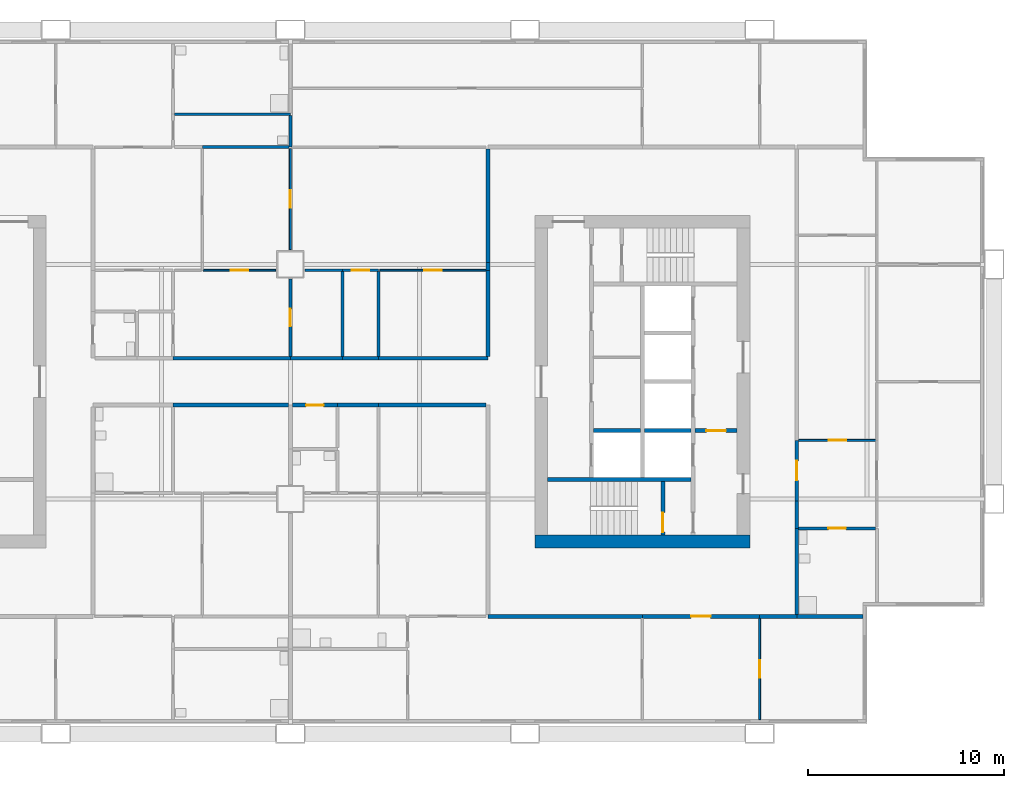
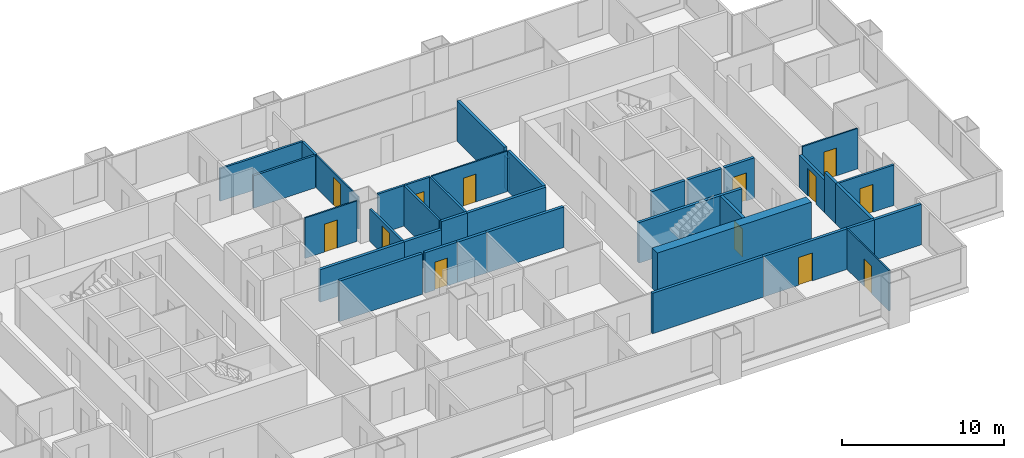
# One storey, part 6 of 11: 38 walls, 13 doors, 13 openings.
"""IFC4 building model written with IfcOpenShell, lengths in metres."""

from ifc_helpers import new_model, si_unit, direction, frame, frame_2d, origin, place, context, subcontext, project, spatial, rectangle, extrude, material, layer, layer_set, type_object, element, fill, save


model = new_model("IFC4")

# Units and contexts
model_context = context("Model", 3, precision=1e-05, world=origin(), true_north=direction((0.0, 1.0)))
body_context = subcontext(model_context, "Body", "Model", "MODEL_VIEW")
ifc_project = project(units=[si_unit("LENGTHUNIT", "METRE"), si_unit("AREAUNIT", "SQUARE_METRE"), si_unit("VOLUMEUNIT", "CUBIC_METRE"), si_unit("PLANEANGLEUNIT", "RADIAN"), si_unit("MASSUNIT", "GRAM", prefix="KILO")], contexts=[model_context])

# Site, building, storey
site_placement = place(None, origin())
site = spatial("IfcSite", under=ifc_project, at=site_placement, CompositionType="ELEMENT")
building_placement = place(site_placement, origin())
building = spatial("IfcBuilding", under=site, at=building_placement, Name="Kitamizu Gate Tower and Museum", CompositionType="ELEMENT")
storey_placement = place(building_placement, frame((0.0, 0.0, 100.050048828125)))
storey = spatial("IfcBuildingStorey", under=building, at=storey_placement, Name="L25", CompositionType="ELEMENT", Elevation=100.050048828125)

# Wall
ifc_material_1 = material(Name="Concrete Fc60", Category="concrete")
ifc_layer_1 = layer(ifc_material_1, 0.64990234375)
ifc_layer_set_1 = layer_set([ifc_layer_1], Name="Concrete Fc60")
wall_type_1 = type_object("IfcWallType", Name="Core wall 650", PredefinedType="SHEAR", material=ifc_layer_set_1)
wall_1_placement = place(storey_placement, frame((59.5, 21.824951171875, 0.0), z_axis=(0.0, 0.0, 1.0), x_axis=(-1.0, 0.0, 0.0)))
element("IfcWall", 1, at=wall_1_placement, inside=storey, type_object=wall_type_1, Name="Core wall ES", PredefinedType="SHEAR", context=body_context, shape_type="SweptSolid", body=[
    extrude(rectangle(XDim=11.0, YDim=0.64990234375, at=frame_2d((5.5, 0.0))), origin(), (0.0, 0.0, 1.0), 3.050048828125),
])

# Wall, opening, door
ifc_material_2 = material(Name="Gypsum board on galvanised stud")
ifc_layer_2 = layer(ifc_material_2, 0.10009765625)
ifc_layer_set_2 = layer_set([ifc_layer_2], Name="Gypsum board on galvanised stud")
wall_type_2 = type_object("IfcWallType", Name="Partition 100 NOT RATED", PredefinedType="PARTITIONING", material=ifc_layer_set_2)
wall_2_placement = place(storey_placement, frame((60.0, 12.719970703125, 0.0), z_axis=(0.0, 0.0, 1.0), x_axis=(0.0, 1.0, 0.0)))
wall_2 = element("IfcWall", 2, at=wall_2_placement, inside=storey, type_object=wall_type_2, Name="Partition L25-057", PredefinedType="PARTITIONING", context=body_context, shape_type="SweptSolid", body=[
    extrude(rectangle(XDim=5.179931640625, YDim=0.10009765625, at=frame_2d((2.58984375, 0.0))), origin(), (0.0, 0.0, 1.0), 3.050048828125),
])
opening_1_placement = place(wall_2_placement, frame((2.139892578125, 0.0, 0.0)))
opening_1 = element("IfcOpeningElement", 3, at=opening_1_placement, cuts=wall_2, Name="Opening L25-020", PredefinedType="OPENING", context=body_context, shape_type="SweptSolid", body=[
    extrude(rectangle(XDim=0.89990234375, YDim=2.10009765625, at=frame_2d((0.449951171875, 1.050048828125))), frame((0.0, 0.06005859375, 0.0), z_axis=(0.0, -1.0, 0.0), x_axis=(1.0, 0.0, 0.0)), (0.0, 0.0, 1.0), 0.1201171875),
])
ifc_material_3 = material(Name="Timber door set", Category="wood")
door_type_1 = type_object("IfcDoorType", Name="Room door 900", OperationType="NOTDEFINED", PredefinedType="DOOR", material=ifc_material_3)
door_1_placement = place(opening_1_placement, frame((0.89990234375, 0.0, 0.0), x_axis=(-1.0, 0.0, 0.0)))
door_1 = element("IfcDoor", 4, at=door_1_placement, inside=storey, type_object=door_type_1, Name="Door L25-020", OperationType="SINGLE_SWING_RIGHT", OverallHeight=2.10009765625, OverallWidth=0.89990234375, PredefinedType="DOOR", context=body_context, shape_type="SweptSolid", body=[
    extrude(rectangle(XDim=0.89990234375, YDim=2.10009765625, at=frame_2d((0.449951171875, 1.050048828125))), frame((0.0, 0.02490234375, 0.0), z_axis=(0.0, -1.0, 0.0), x_axis=(1.0, 0.0, 0.0)), (0.0, 0.0, 1.0), 0.050048828125),
])
fill(opening_1, door_1)

wall_3_placement = place(storey_placement, frame((65.949951171875, 27.0, 0.0), z_axis=(0.0, 0.0, 1.0), x_axis=(-1.0, 0.0, 0.0)))
wall_3 = element("IfcWall", 5, at=wall_3_placement, inside=storey, type_object=wall_type_2, Name="Partition L25-085", PredefinedType="PARTITIONING", context=body_context, shape_type="SweptSolid", body=[
    extrude(rectangle(XDim=3.949951171875, YDim=0.10009765625, at=frame_2d((1.97509765625, 0.0))), origin(), (0.0, 0.0, 1.0), 3.050048828125),
])
opening_2_placement = place(wall_3_placement, frame((1.52490234375, 0.0, 0.0)))
opening_2 = element("IfcOpeningElement", 6, at=opening_2_placement, cuts=wall_3, Name="Opening L25-031", PredefinedType="OPENING", context=body_context, shape_type="SweptSolid", body=[
    extrude(rectangle(XDim=0.89990234375, YDim=2.10009765625, at=frame_2d((0.449951171875, 1.050048828125))), frame((0.0, 0.06005859375, 0.0), z_axis=(0.0, -1.0, 0.0), x_axis=(1.0, 0.0, 0.0)), (0.0, 0.0, 1.0), 0.1201171875),
])
door_2_placement = place(opening_2_placement, origin())
door_2 = element("IfcDoor", 7, at=door_2_placement, inside=storey, type_object=door_type_1, Name="Door L25-031", OperationType="SINGLE_SWING_LEFT", OverallHeight=2.10009765625, OverallWidth=0.89990234375, PredefinedType="DOOR", context=body_context, shape_type="SweptSolid", body=[
    extrude(rectangle(XDim=0.89990234375, YDim=2.10009765625, at=frame_2d((0.449951171875, 1.050048828125))), frame((0.0, 0.02490234375, 0.0), z_axis=(0.0, -1.0, 0.0), x_axis=(1.0, 0.0, 0.0)), (0.0, 0.0, 1.0), 0.050048828125),
])
fill(opening_2, door_2)

wall_4_placement = place(storey_placement, frame((31.550048828125, 35.699951171875, 0.0), z_axis=(0.0, 0.0, 1.0), x_axis=(1.0, 0.0, 0.0)))
wall_4 = element("IfcWall", 8, at=wall_4_placement, inside=storey, type_object=wall_type_2, Name="Partition L25-122", PredefinedType="PARTITIONING", context=body_context, shape_type="SweptSolid", body=[
    extrude(rectangle(XDim=3.699951171875, YDim=0.10009765625, at=frame_2d((1.85009765625, 0.0))), origin(), (0.0, 0.0, 1.0), 3.050048828125),
])
opening_3_placement = place(wall_4_placement, frame((1.39990234375, 0.0, 0.0)))
opening_3 = element("IfcOpeningElement", 9, at=opening_3_placement, cuts=wall_4, Name="Opening L25-045", PredefinedType="OPENING", context=body_context, shape_type="SweptSolid", body=[
    extrude(rectangle(XDim=0.89990234375, YDim=2.10009765625, at=frame_2d((0.449951171875, 1.050048828125))), frame((0.0, 0.06005859375, 0.0), z_axis=(0.0, -1.0, 0.0), x_axis=(1.0, 0.0, 0.0)), (0.0, 0.0, 1.0), 0.1201171875),
])
door_3_placement = place(opening_3_placement, frame((0.89990234375, 0.0, 0.0), x_axis=(-1.0, 0.0, 0.0)))
door_3 = element("IfcDoor", 10, at=door_3_placement, inside=storey, type_object=door_type_1, Name="Door L25-045", OperationType="SINGLE_SWING_RIGHT", OverallHeight=2.10009765625, OverallWidth=0.89990234375, PredefinedType="DOOR", context=body_context, shape_type="SweptSolid", body=[
    extrude(rectangle(XDim=0.89990234375, YDim=2.10009765625, at=frame_2d((0.449951171875, 1.050048828125))), frame((0.0, 0.02490234375, 0.0), z_axis=(0.0, -1.0, 0.0), x_axis=(1.0, 0.0, 0.0)), (0.0, 0.0, 1.0), 0.050048828125),
])
fill(opening_3, door_3)

wall_5_placement = place(storey_placement, frame((36.0, 36.75, 0.0), z_axis=(0.0, 0.0, 1.0), x_axis=(0.0, 1.0, 0.0)))
wall_5 = element("IfcWall", 11, at=wall_5_placement, inside=storey, type_object=wall_type_2, Name="Partition L25-123", PredefinedType="PARTITIONING", context=body_context, shape_type="SweptSolid", body=[
    extrude(rectangle(XDim=5.175048828125, YDim=0.10009765625, at=frame_2d((2.58740234375, 0.0))), origin(), (0.0, 0.0, 1.0), 2.449951171875),
])
opening_4_placement = place(wall_5_placement, frame((2.137451171875, 0.0, 0.0)))
opening_4 = element("IfcOpeningElement", 12, at=opening_4_placement, cuts=wall_5, Name="Opening L25-046", PredefinedType="OPENING", context=body_context, shape_type="SweptSolid", body=[
    extrude(rectangle(XDim=0.89990234375, YDim=2.10009765625, at=frame_2d((0.449951171875, 1.050048828125))), frame((0.0, 0.06005859375, 0.0), z_axis=(0.0, -1.0, 0.0), x_axis=(1.0, 0.0, 0.0)), (0.0, 0.0, 1.0), 0.1201171875),
])
door_4_placement = place(opening_4_placement, origin())
door_4 = element("IfcDoor", 13, at=door_4_placement, inside=storey, type_object=door_type_1, Name="Door L25-046", OperationType="SINGLE_SWING_LEFT", OverallHeight=2.10009765625, OverallWidth=0.89990234375, PredefinedType="DOOR", context=body_context, shape_type="SweptSolid", body=[
    extrude(rectangle(XDim=0.89990234375, YDim=2.10009765625, at=frame_2d((0.449951171875, 1.050048828125))), frame((0.0, 0.02490234375, 0.0), z_axis=(0.0, -1.0, 0.0), x_axis=(1.0, 0.0, 0.0)), (0.0, 0.0, 1.0), 0.050048828125),
])
fill(opening_4, door_4)

wall_6_placement = place(storey_placement, frame((40.574951171875, 35.699951171875, 0.0), z_axis=(0.0, 0.0, 1.0), x_axis=(1.0, 0.0, 0.0)))
wall_6 = element("IfcWall", 14, at=wall_6_placement, inside=storey, type_object=wall_type_2, Name="Partition L25-137", PredefinedType="PARTITIONING", context=body_context, shape_type="SweptSolid", body=[
    extrude(rectangle(XDim=5.425048828125, YDim=0.10009765625, at=frame_2d((2.71240234375, 0.0))), origin(), (0.0, 0.0, 1.0), 3.050048828125),
])
opening_5_placement = place(wall_6_placement, frame((2.262451171875, 0.0, 0.0)))
opening_5 = element("IfcOpeningElement", 15, at=opening_5_placement, cuts=wall_6, Name="Opening L25-049", PredefinedType="OPENING", context=body_context, shape_type="SweptSolid", body=[
    extrude(rectangle(XDim=0.89990234375, YDim=2.10009765625, at=frame_2d((0.449951171875, 1.050048828125))), frame((0.0, 0.06005859375, 0.0), z_axis=(0.0, -1.0, 0.0), x_axis=(1.0, 0.0, 0.0)), (0.0, 0.0, 1.0), 0.1201171875),
])
door_5_placement = place(opening_5_placement, frame((0.89990234375, 0.0, 0.0), x_axis=(-1.0, 0.0, 0.0)))
door_5 = element("IfcDoor", 16, at=door_5_placement, inside=storey, type_object=door_type_1, Name="Door L25-049", OperationType="SINGLE_SWING_LEFT", OverallHeight=2.10009765625, OverallWidth=0.89990234375, PredefinedType="DOOR", context=body_context, shape_type="SweptSolid", body=[
    extrude(rectangle(XDim=0.89990234375, YDim=2.10009765625, at=frame_2d((0.449951171875, 1.050048828125))), frame((0.0, 0.02490234375, 0.0), z_axis=(0.0, -1.0, 0.0), x_axis=(1.0, 0.0, 0.0)), (0.0, 0.0, 1.0), 0.050048828125),
])
fill(opening_5, door_5)

ifc_material_4 = material(Name="Gypsum board on galvanised stud")
ifc_layer_3 = layer(ifc_material_4, 0.14990234375)
ifc_layer_set_3 = layer_set([ifc_layer_3], Name="Gypsum board on galvanised stud")
wall_type_3 = type_object("IfcWallType", Name="Partition 150", PredefinedType="PARTITIONING", material=ifc_layer_set_3)
wall_7_placement = place(storey_placement, frame((65.925048828125, 22.5, 0.0), z_axis=(0.0, 0.0, 1.0), x_axis=(-1.0, 0.0, 0.0)))
wall_7 = element("IfcWall", 17, at=wall_7_placement, inside=storey, type_object=wall_type_3, Name="Partition L25-083", PredefinedType="PARTITIONING", context=body_context, shape_type="SweptSolid", body=[
    extrude(rectangle(XDim=3.925048828125, YDim=0.14990234375, at=frame_2d((1.96240234375, 0.0))), origin(), (0.0, 0.0, 1.0), 3.050048828125),
])
opening_6_placement = place(wall_7_placement, frame((1.512451171875, 0.0, 0.0)))
opening_6 = element("IfcOpeningElement", 18, at=opening_6_placement, cuts=wall_7, Name="Opening L25-033", PredefinedType="OPENING", context=body_context, shape_type="SweptSolid", body=[
    extrude(rectangle(XDim=0.89990234375, YDim=2.10009765625, at=frame_2d((0.449951171875, 1.050048828125))), frame((0.0, 0.0849609375, 0.0), z_axis=(0.0, -1.0, 0.0), x_axis=(1.0, 0.0, 0.0)), (0.0, 0.0, 1.0), 0.169921875),
])
ifc_material_5 = material(Name="Timber door set", Category="wood")
door_type_2 = type_object("IfcDoorType", Name="Bathroom door 900", OperationType="NOTDEFINED", PredefinedType="DOOR", material=ifc_material_5)
door_6_placement = place(opening_6_placement, origin())
door_6 = element("IfcDoor", 19, at=door_6_placement, inside=storey, type_object=door_type_2, Name="Bathroom door L25-033", OperationType="SINGLE_SWING_LEFT", OverallHeight=2.10009765625, OverallWidth=0.89990234375, PredefinedType="DOOR", context=body_context, shape_type="SweptSolid", body=[
    extrude(rectangle(XDim=0.89990234375, YDim=2.10009765625, at=frame_2d((0.449951171875, 1.050048828125))), frame((0.0, 0.02490234375, 0.0), z_axis=(0.0, -1.0, 0.0), x_axis=(1.0, 0.0, 0.0)), (0.0, 0.0, 1.0), 0.050048828125),
])
fill(opening_6, door_6)

# Walls
wall_8_placement = place(storey_placement, frame((30.074951171875, 43.679931640625, 0.0), z_axis=(0.0, 0.0, 1.0), x_axis=(1.0, 0.0, 0.0)))
element("IfcWall", 20, at=wall_8_placement, inside=storey, type_object=wall_type_3, Name="Partition L25-103", PredefinedType="PARTITIONING", context=body_context, shape_type="SweptSolid", body=[
    extrude(rectangle(XDim=5.925048828125, YDim=0.14990234375, at=frame_2d((2.96240234375, 0.0))), origin(), (0.0, 0.0, 1.0), 2.449951171875),
])
wall_9_placement = place(storey_placement, frame((36.0, 42.0, 0.0), z_axis=(0.0, 0.0, 1.0), x_axis=(0.0, 1.0, 0.0)))
element("IfcWall", 21, at=wall_9_placement, inside=storey, type_object=wall_type_3, Name="Partition L25-106", PredefinedType="PARTITIONING", context=body_context, shape_type="SweptSolid", body=[
    extrude(rectangle(XDim=1.60498046875, YDim=0.14990234375, at=frame_2d((0.802490234375, 0.0))), origin(), (0.0, 0.0, 1.0), 2.449951171875),
])
wall_10_placement = place(storey_placement, frame((31.5, 42.0, 0.0), z_axis=(0.0, 0.0, 1.0), x_axis=(1.0, 0.0, 0.0)))
element("IfcWall", 22, at=wall_10_placement, inside=storey, type_object=wall_type_3, Name="Partition L25-108", PredefinedType="PARTITIONING", context=body_context, shape_type="SweptSolid", body=[
    extrude(rectangle(XDim=4.425048828125, YDim=0.14990234375, at=frame_2d((2.21240234375, 0.0))), origin(), (0.0, 0.0, 1.0), 2.449951171875),
])

# Wall, opening, door
wall_11_placement = place(storey_placement, frame((36.0, 31.300048828125, 0.0), z_axis=(0.0, 0.0, 1.0), x_axis=(0.0, 1.0, 0.0)))
wall_11 = element("IfcWall", 23, at=wall_11_placement, inside=storey, type_object=wall_type_3, Name="Partition L25-133", PredefinedType="PARTITIONING", context=body_context, shape_type="SweptSolid", body=[
    extrude(rectangle(XDim=3.949951171875, YDim=0.14990234375, at=frame_2d((1.97509765625, 0.0))), origin(), (0.0, 0.0, 1.0), 2.449951171875),
])
opening_7_placement = place(wall_11_placement, frame((1.52490234375, 0.0, 0.0)))
opening_7 = element("IfcOpeningElement", 24, at=opening_7_placement, cuts=wall_11, Name="Opening L25-047", PredefinedType="OPENING", context=body_context, shape_type="SweptSolid", body=[
    extrude(rectangle(XDim=0.89990234375, YDim=2.10009765625, at=frame_2d((0.449951171875, 1.050048828125))), frame((0.0, 0.0849609375, 0.0), z_axis=(0.0, -1.0, 0.0), x_axis=(1.0, 0.0, 0.0)), (0.0, 0.0, 1.0), 0.169921875),
])
door_7_placement = place(opening_7_placement, frame((0.89990234375, 0.0, 0.0), x_axis=(-1.0, 0.0, 0.0)))
door_7 = element("IfcDoor", 25, at=door_7_placement, inside=storey, type_object=door_type_2, Name="Bathroom door L25-047", OperationType="SINGLE_SWING_LEFT", OverallHeight=2.10009765625, OverallWidth=0.89990234375, PredefinedType="DOOR", context=body_context, shape_type="SweptSolid", body=[
    extrude(rectangle(XDim=0.89990234375, YDim=2.10009765625, at=frame_2d((0.449951171875, 1.050048828125))), frame((0.0, 0.02490234375, 0.0), z_axis=(0.0, -1.0, 0.0), x_axis=(1.0, 0.0, 0.0)), (0.0, 0.0, 1.0), 0.050048828125),
])
fill(opening_7, door_7)

# Wall
wall_12_placement = place(storey_placement, frame((36.75, 35.699951171875, 0.0), z_axis=(0.0, 0.0, 1.0), x_axis=(1.0, 0.0, 0.0)))
element("IfcWall", 26, at=wall_12_placement, inside=storey, type_object=wall_type_3, Name="Partition L25-135", PredefinedType="PARTITIONING", context=body_context, shape_type="SweptSolid", body=[
    extrude(rectangle(XDim=1.9169921875, YDim=0.14990234375, at=frame_2d((0.95849609375, 0.0))), origin(), (0.0, 0.0, 1.0), 3.050048828125),
])

# Wall, opening, door
wall_13_placement = place(storey_placement, frame((38.6669921875, 35.699951171875, 0.0), z_axis=(0.0, 0.0, 1.0), x_axis=(1.0, 0.0, 0.0)))
wall_13 = element("IfcWall", 27, at=wall_13_placement, inside=storey, type_object=wall_type_3, Name="Partition L25-136", PredefinedType="PARTITIONING", context=body_context, shape_type="SweptSolid", body=[
    extrude(rectangle(XDim=1.8330078125, YDim=0.14990234375, at=frame_2d((0.91650390625, 0.0))), origin(), (0.0, 0.0, 1.0), 3.050048828125),
])
opening_8_placement = place(wall_13_placement, frame((0.466552734375, 0.0, 0.0)))
opening_8 = element("IfcOpeningElement", 28, at=opening_8_placement, cuts=wall_13, Name="Opening L25-048", PredefinedType="OPENING", context=body_context, shape_type="SweptSolid", body=[
    extrude(rectangle(XDim=0.89990234375, YDim=2.10009765625, at=frame_2d((0.449951171875, 1.050048828125))), frame((0.0, 0.0849609375, 0.0), z_axis=(0.0, -1.0, 0.0), x_axis=(1.0, 0.0, 0.0)), (0.0, 0.0, 1.0), 0.169921875),
])
door_8_placement = place(opening_8_placement, frame((0.89990234375, 0.0, 0.0), x_axis=(-1.0, 0.0, 0.0)))
door_8 = element("IfcDoor", 29, at=door_8_placement, inside=storey, type_object=door_type_2, Name="Bathroom door L25-048", OperationType="SINGLE_SWING_RIGHT", OverallHeight=2.10009765625, OverallWidth=0.89990234375, PredefinedType="DOOR", context=body_context, shape_type="SweptSolid", body=[
    extrude(rectangle(XDim=0.89990234375, YDim=2.10009765625, at=frame_2d((0.449951171875, 1.050048828125))), frame((0.0, 0.02490234375, 0.0), z_axis=(0.0, -1.0, 0.0), x_axis=(1.0, 0.0, 0.0)), (0.0, 0.0, 1.0), 0.050048828125),
])
fill(opening_8, door_8)

# Walls
for number, where, z_axis, x_axis, name in (
    (30, (38.6669921875, 31.300048828125, 0.0), (0.0, 0.0, 1.0), (0.0, 1.0, 0.0), "Partition L25-140"),
    (31, (40.5, 31.300048828125, 0.0), (0.0, 0.0, 1.0), (0.0, 1.0, 0.0), "Partition L25-142"),
):
    element("IfcWall", number, at=place(storey_placement, frame(where, z_axis=z_axis, x_axis=x_axis)), inside=storey, type_object=wall_type_3, Name=name, PredefinedType="PARTITIONING", context=body_context, shape_type="SweptSolid", body=[
        extrude(rectangle(XDim=4.324951171875, YDim=0.14990234375, at=frame_2d((2.16259765625, 0.0))), origin(), (0.0, 0.0, 1.0), 3.050048828125),
    ])
ifc_material_6 = material(Name="Gypsum board on galvanised stud")
ifc_layer_4 = layer(ifc_material_6, 0.199951171875)
ifc_layer_set_4 = layer_set([ifc_layer_4], Name="Gypsum board on galvanised stud")
wall_type_4 = type_object("IfcWallType", Name="Partition 200", PredefinedType="PARTITIONING", material=ifc_layer_set_4)
wall_14_placement = place(storey_placement, frame((35.89990234375, 28.800048828125, 0.0), z_axis=(0.0, 0.0, 1.0), x_axis=(-1.0, 0.0, 0.0)))
element("IfcWall", 32, at=wall_14_placement, inside=storey, type_object=wall_type_4, Name="Partition L25-029", PredefinedType="PARTITIONING", context=body_context, shape_type="SweptSolid", body=[
    extrude(rectangle(XDim=5.89990234375, YDim=0.199951171875, at=frame_2d((2.949951171875, 0.0))), origin(), (0.0, 0.0, 1.0), 3.050048828125),
])
wall_15_placement = place(storey_placement, frame((54.0, 18.0, 0.0), z_axis=(0.0, 0.0, 1.0), x_axis=(-1.0, 0.0, 0.0)))
element("IfcWall", 33, at=wall_15_placement, inside=storey, type_object=wall_type_4, Name="Partition L25-056", PredefinedType="PARTITIONING", context=body_context, shape_type="SweptSolid", body=[
    extrude(rectangle(XDim=7.89990234375, YDim=0.199951171875, at=frame_2d((3.949951171875, 0.0))), origin(), (0.0, 0.0, 1.0), 3.050048828125),
])

# Wall, opening, door
wall_16_placement = place(storey_placement, frame((60.0, 18.0, 0.0), z_axis=(0.0, 0.0, 1.0), x_axis=(-1.0, 0.0, 0.0)))
wall_16 = element("IfcWall", 34, at=wall_16_placement, inside=storey, type_object=wall_type_4, Name="Partition L25-058", PredefinedType="PARTITIONING", context=body_context, shape_type="SweptSolid", body=[
    extrude(rectangle(XDim=6.0, YDim=0.199951171875, at=frame_2d((3.0, 0.0))), origin(), (0.0, 0.0, 1.0), 3.050048828125),
])
opening_9_placement = place(wall_16_placement, frame((2.5, 0.0, 0.0)))
opening_9 = element("IfcOpeningElement", 35, at=opening_9_placement, cuts=wall_16, Name="Opening L25-018", PredefinedType="OPENING", context=body_context, shape_type="SweptSolid", body=[
    extrude(rectangle(XDim=1.0, YDim=2.10009765625, at=frame_2d((0.5, 1.050048828125))), frame((0.0, 0.10986328125, 0.0), z_axis=(0.0, -1.0, 0.0), x_axis=(1.0, 0.0, 0.0)), (0.0, 0.0, 1.0), 0.219970703125),
])
ifc_material_7 = material(Name="Timber door set", Category="wood")
door_type_3 = type_object("IfcDoorType", Name="Flat entrance door 1000", OperationType="NOTDEFINED", PredefinedType="DOOR", material=ifc_material_7)
door_9_placement = place(opening_9_placement, origin())
door_9 = element("IfcDoor", 36, at=door_9_placement, inside=storey, type_object=door_type_3, Name="Flat entrance door L25-018", OperationType="SINGLE_SWING_LEFT", OverallHeight=2.10009765625, OverallWidth=1.0, PredefinedType="DOOR", context=body_context, shape_type="SweptSolid", body=[
    extrude(rectangle(XDim=1.0, YDim=2.10009765625, at=frame_2d((0.5, 1.050048828125))), frame((0.0, 0.02490234375, 0.0), z_axis=(0.0, -1.0, 0.0), x_axis=(1.0, 0.0, 0.0)), (0.0, 0.0, 1.0), 0.050048828125),
])
fill(opening_9, door_9)

# Walls
wall_17_placement = place(storey_placement, frame((65.280029296875, 18.0, 0.0), z_axis=(0.0, 0.0, 1.0), x_axis=(-1.0, 0.0, 0.0)))
element("IfcWall", 37, at=wall_17_placement, inside=storey, type_object=wall_type_4, Name="Partition L25-059", PredefinedType="PARTITIONING", context=body_context, shape_type="SweptSolid", body=[
    extrude(rectangle(XDim=3.380126953125, YDim=0.199951171875, at=frame_2d((1.68994140625, 0.0))), origin(), (0.0, 0.0, 1.0), 3.050048828125),
])
wall_18_placement = place(storey_placement, frame((61.89990234375, 18.0, 0.0), z_axis=(0.0, 0.0, 1.0), x_axis=(-1.0, 0.0, 0.0)))
element("IfcWall", 38, at=wall_18_placement, inside=storey, type_object=wall_type_4, Name="Partition L25-060", PredefinedType="PARTITIONING", context=body_context, shape_type="SweptSolid", body=[
    extrude(rectangle(XDim=1.89990234375, YDim=0.199951171875, at=frame_2d((0.949951171875, 0.0))), origin(), (0.0, 0.0, 1.0), 3.050048828125),
])

# Wall, opening, door
wall_19_placement = place(storey_placement, frame((38.39990234375, 28.800048828125, 0.0), z_axis=(0.0, 0.0, 1.0), x_axis=(-1.0, 0.0, 0.0)))
wall_19 = element("IfcWall", 39, at=wall_19_placement, inside=storey, type_object=wall_type_4, Name="Partition L25-069", PredefinedType="PARTITIONING", context=body_context, shape_type="SweptSolid", body=[
    extrude(rectangle(XDim=2.2998046875, YDim=0.199951171875, at=frame_2d((1.14990234375, 0.0))), origin(), (0.0, 0.0, 1.0), 3.050048828125),
])
opening_10_placement = place(wall_19_placement, frame((0.699951171875, 0.0, 0.0)))
opening_10 = element("IfcOpeningElement", 40, at=opening_10_placement, cuts=wall_19, Name="Opening L25-028", PredefinedType="OPENING", context=body_context, shape_type="SweptSolid", body=[
    extrude(rectangle(XDim=0.89990234375, YDim=2.10009765625, at=frame_2d((0.449951171875, 1.050048828125))), frame((0.0, 0.10986328125, 0.0), z_axis=(0.0, -1.0, 0.0), x_axis=(1.0, 0.0, 0.0)), (0.0, 0.0, 1.0), 0.219970703125),
])
ifc_material_8 = material(Name="Timber door set", Category="wood")
door_type_4 = type_object("IfcDoorType", Name="Store door 900", OperationType="NOTDEFINED", PredefinedType="DOOR", material=ifc_material_8)
door_10_placement = place(opening_10_placement, origin())
door_10 = element("IfcDoor", 41, at=door_10_placement, inside=storey, type_object=door_type_4, Name="Service entrance door L25-028", OperationType="SINGLE_SWING_LEFT", OverallHeight=2.10009765625, OverallWidth=0.89990234375, PredefinedType="DOOR", context=body_context, shape_type="SweptSolid", body=[
    extrude(rectangle(XDim=0.89990234375, YDim=2.10009765625, at=frame_2d((0.449951171875, 1.050048828125))), frame((0.0, 0.02490234375, 0.0), z_axis=(0.0, -1.0, 0.0), x_axis=(1.0, 0.0, 0.0)), (0.0, 0.0, 1.0), 0.050048828125),
])
fill(opening_10, door_10)

# Walls
wall_20_placement = place(storey_placement, frame((40.5, 28.800048828125, 0.0), z_axis=(0.0, 0.0, 1.0), x_axis=(-1.0, 0.0, 0.0)))
element("IfcWall", 42, at=wall_20_placement, inside=storey, type_object=wall_type_4, Name="Partition L25-071", PredefinedType="PARTITIONING", context=body_context, shape_type="SweptSolid", body=[
    extrude(rectangle(XDim=2.10009765625, YDim=0.199951171875, at=frame_2d((1.050048828125, 0.0))), origin(), (0.0, 0.0, 1.0), 3.050048828125),
])
wall_21_placement = place(storey_placement, frame((46.0, 28.800048828125, 0.0), z_axis=(0.0, 0.0, 1.0), x_axis=(-1.0, 0.0, 0.0)))
element("IfcWall", 43, at=wall_21_placement, inside=storey, type_object=wall_type_4, Name="Partition L25-073", PredefinedType="PARTITIONING", context=body_context, shape_type="SweptSolid", body=[
    extrude(rectangle(XDim=5.5, YDim=0.199951171875, at=frame_2d((2.75, 0.0))), origin(), (0.0, 0.0, 1.0), 3.050048828125),
])
wall_22_placement = place(storey_placement, frame((61.89990234375, 22.5, 0.0), z_axis=(0.0, 0.0, 1.0), x_axis=(0.0, -1.0, 0.0)))
element("IfcWall", 44, at=wall_22_placement, inside=storey, type_object=wall_type_4, Name="Partition L25-084", PredefinedType="PARTITIONING", context=body_context, shape_type="SweptSolid", body=[
    extrude(rectangle(XDim=4.39990234375, YDim=0.199951171875, at=frame_2d((2.199951171875, 0.0))), origin(), (0.0, 0.0, 1.0), 3.050048828125),
])

# Wall, opening, door
wall_23_placement = place(storey_placement, frame((61.89990234375, 27.0, 0.0), z_axis=(0.0, 0.0, 1.0), x_axis=(0.0, -1.0, 0.0)))
wall_23 = element("IfcWall", 45, at=wall_23_placement, inside=storey, type_object=wall_type_4, Name="Partition L25-086", PredefinedType="PARTITIONING", context=body_context, shape_type="SweptSolid", body=[
    extrude(rectangle(XDim=3.10009765625, YDim=0.199951171875, at=frame_2d((1.550048828125, 0.0))), origin(), (0.0, 0.0, 1.0), 2.449951171875),
])
opening_11_placement = place(wall_23_placement, frame((1.050048828125, 0.0, 0.0)))
opening_11 = element("IfcOpeningElement", 46, at=opening_11_placement, cuts=wall_23, Name="Opening L25-029", PredefinedType="OPENING", context=body_context, shape_type="SweptSolid", body=[
    extrude(rectangle(XDim=1.0, YDim=2.10009765625, at=frame_2d((0.5, 1.050048828125))), frame((0.0, 0.10986328125, 0.0), z_axis=(0.0, -1.0, 0.0), x_axis=(1.0, 0.0, 0.0)), (0.0, 0.0, 1.0), 0.219970703125),
])
door_11_placement = place(opening_11_placement, origin())
door_11 = element("IfcDoor", 47, at=door_11_placement, inside=storey, type_object=door_type_3, Name="Flat entrance door L25-029", OperationType="SINGLE_SWING_RIGHT", OverallHeight=2.10009765625, OverallWidth=1.0, PredefinedType="DOOR", context=body_context, shape_type="SweptSolid", body=[
    extrude(rectangle(XDim=1.0, YDim=2.10009765625, at=frame_2d((0.5, 1.050048828125))), frame((0.0, 0.02490234375, 0.0), z_axis=(0.0, -1.0, 0.0), x_axis=(1.0, 0.0, 0.0)), (0.0, 0.0, 1.0), 0.050048828125),
])
fill(opening_11, door_11)

# Walls
wall_24_placement = place(storey_placement, frame((61.89990234375, 23.89990234375, 0.0), z_axis=(0.0, 0.0, 1.0), x_axis=(0.0, -1.0, 0.0)))
element("IfcWall", 48, at=wall_24_placement, inside=storey, type_object=wall_type_4, Name="Partition L25-087", PredefinedType="PARTITIONING", context=body_context, shape_type="SweptSolid", body=[
    extrude(rectangle(XDim=1.39990234375, YDim=0.199951171875, at=frame_2d((0.699951171875, 0.0))), origin(), (0.0, 0.0, 1.0), 3.050048828125),
])
wall_25_placement = place(storey_placement, frame((30.0, 31.199951171875, 0.0), z_axis=(0.0, 0.0, 1.0), x_axis=(1.0, 0.0, 0.0)))
element("IfcWall", 49, at=wall_25_placement, inside=storey, type_object=wall_type_4, Name="Partition L25-134", PredefinedType="PARTITIONING", context=body_context, shape_type="SweptSolid", body=[
    extrude(rectangle(XDim=6.0, YDim=0.199951171875, at=frame_2d((3.0, 0.0))), origin(), (0.0, 0.0, 1.0), 2.449951171875),
])
wall_26_placement = place(storey_placement, frame((46.10009765625, 35.699951171875, 0.0), z_axis=(0.0, 0.0, 1.0), x_axis=(0.0, 1.0, 0.0)))
element("IfcWall", 50, at=wall_26_placement, inside=storey, type_object=wall_type_4, Name="Partition L25-138", PredefinedType="PARTITIONING", context=body_context, shape_type="SweptSolid", body=[
    extrude(rectangle(XDim=0.400146484375, YDim=0.199951171875, at=frame_2d((0.2001953125, 0.0))), origin(), (0.0, 0.0, 1.0), 2.449951171875),
])
wall_27_placement = place(storey_placement, frame((46.10009765625, 36.10009765625, 0.0), z_axis=(0.0, 0.0, 1.0), x_axis=(0.0, 1.0, 0.0)))
element("IfcWall", 51, at=wall_27_placement, inside=storey, type_object=wall_type_4, Name="Partition L25-139", PredefinedType="PARTITIONING", context=body_context, shape_type="SweptSolid", body=[
    extrude(rectangle(XDim=5.7998046875, YDim=0.199951171875, at=frame_2d((2.89990234375, 0.0))), origin(), (0.0, 0.0, 1.0), 3.050048828125),
])
wall_28_placement = place(storey_placement, frame((36.0, 31.199951171875, 0.0), z_axis=(0.0, 0.0, 1.0), x_axis=(1.0, 0.0, 0.0)))
element("IfcWall", 52, at=wall_28_placement, inside=storey, type_object=wall_type_4, Name="Partition L25-141", PredefinedType="PARTITIONING", context=body_context, shape_type="SweptSolid", body=[
    extrude(rectangle(XDim=2.6669921875, YDim=0.199951171875, at=frame_2d((1.33349609375, 0.0))), origin(), (0.0, 0.0, 1.0), 2.449951171875),
])
wall_29_placement = place(storey_placement, frame((38.6669921875, 31.199951171875, 0.0), z_axis=(0.0, 0.0, 1.0), x_axis=(1.0, 0.0, 0.0)))
element("IfcWall", 53, at=wall_29_placement, inside=storey, type_object=wall_type_4, Name="Partition L25-143", PredefinedType="PARTITIONING", context=body_context, shape_type="SweptSolid", body=[
    extrude(rectangle(XDim=1.8330078125, YDim=0.199951171875, at=frame_2d((0.91650390625, 0.0))), origin(), (0.0, 0.0, 1.0), 3.050048828125),
])
wall_30_placement = place(storey_placement, frame((40.5, 31.199951171875, 0.0), z_axis=(0.0, 0.0, 1.0), x_axis=(1.0, 0.0, 0.0)))
element("IfcWall", 54, at=wall_30_placement, inside=storey, type_object=wall_type_4, Name="Partition L25-144", PredefinedType="PARTITIONING", context=body_context, shape_type="SweptSolid", body=[
    extrude(rectangle(XDim=5.60009765625, YDim=0.199951171875, at=frame_2d((2.800048828125, 0.0))), origin(), (0.0, 0.0, 1.0), 3.050048828125),
])
wall_31_placement = place(storey_placement, frame((46.10009765625, 31.300048828125, 0.0), z_axis=(0.0, 0.0, 1.0), x_axis=(0.0, 1.0, 0.0)))
element("IfcWall", 55, at=wall_31_placement, inside=storey, type_object=wall_type_4, Name="Partition L25-145", PredefinedType="PARTITIONING", context=body_context, shape_type="SweptSolid", body=[
    extrude(rectangle(XDim=4.39990234375, YDim=0.199951171875, at=frame_2d((2.199951171875, 0.0))), origin(), (0.0, 0.0, 1.0), 3.050048828125),
])
ifc_material_9 = material(Name="Concrete Fc42", Category="concrete")
ifc_layer_5 = layer(ifc_material_9, 0.199951171875)
ifc_layer_set_5 = layer_set([ifc_layer_5], Name="Concrete Fc42")
wall_type_5 = type_object("IfcWallType", Name="Shaft wall 200", PredefinedType="SOLIDWALL", material=ifc_layer_set_5)
wall_32_placement = place(storey_placement, frame((56.5, 25.0, 0.0), z_axis=(0.0, 0.0, 1.0), x_axis=(-1.0, 0.0, 0.0)))
element("IfcWall", 56, at=wall_32_placement, inside=storey, type_object=wall_type_5, Name="Shaft wall ESB", PredefinedType="SOLIDWALL", context=body_context, shape_type="SweptSolid", body=[
    extrude(rectangle(XDim=7.35009765625, YDim=0.199951171875, at=frame_2d((3.675048828125, 0.0))), origin(), (0.0, 0.0, 1.0), 3.050048828125),
])

# Wall, opening, door
wall_33_placement = place(storey_placement, frame((58.85009765625, 27.5, 0.0), z_axis=(0.0, 0.0, 1.0), x_axis=(-1.0, 0.0, 0.0)))
wall_33 = element("IfcWall", 57, at=wall_33_placement, inside=storey, type_object=wall_type_5, Name="Shaft wall EFFN", PredefinedType="SOLIDWALL", context=body_context, shape_type="SweptSolid", body=[
    extrude(rectangle(XDim=2.150146484375, YDim=0.199951171875, at=frame_2d((1.0751953125, 0.0))), origin(), (0.0, 0.0, 1.0), 3.050048828125),
])
opening_12_placement = place(wall_33_placement, frame((0.574951171875, 0.0, 0.0)))
opening_12 = element("IfcOpeningElement", 58, at=opening_12_placement, cuts=wall_33, Name="Opening L25-071", PredefinedType="OPENING", context=body_context, shape_type="SweptSolid", body=[
    extrude(rectangle(XDim=1.0, YDim=2.10009765625, at=frame_2d((0.5, 1.050048828125))), frame((0.0, 0.10986328125, 0.0), z_axis=(0.0, -1.0, 0.0), x_axis=(1.0, 0.0, 0.0)), (0.0, 0.0, 1.0), 0.219970703125),
])
ifc_material_10 = material(Name="Hollow metal door set")
door_type_5 = type_object("IfcDoorType", Name="Fire door 1000", OperationType="NOTDEFINED", PredefinedType="DOOR", material=ifc_material_10)
door_12_placement = place(opening_12_placement, origin())
door_12 = element("IfcDoor", 59, at=door_12_placement, inside=storey, type_object=door_type_5, Name="Fire-fighting lobby door L25-071", OperationType="SINGLE_SWING_RIGHT", OverallHeight=2.10009765625, OverallWidth=1.0, PredefinedType="DOOR", context=body_context, shape_type="SweptSolid", body=[
    extrude(rectangle(XDim=1.0, YDim=2.10009765625, at=frame_2d((0.5, 1.050048828125))), frame((0.0, 0.02490234375, 0.0), z_axis=(0.0, -1.0, 0.0), x_axis=(1.0, 0.0, 0.0)), (0.0, 0.0, 1.0), 0.050048828125),
])
fill(opening_12, door_12)

wall_34_placement = place(storey_placement, frame((55.050048828125, 22.14990234375, 0.0), z_axis=(0.0, 0.0, 1.0), x_axis=(0.0, 1.0, 0.0)))
wall_34 = element("IfcWall", 60, at=wall_34_placement, inside=storey, type_object=wall_type_5, Name="Shaft wall ESZ", PredefinedType="SOLIDWALL", context=body_context, shape_type="SweptSolid", body=[
    extrude(rectangle(XDim=2.75, YDim=0.199951171875, at=frame_2d((1.375, 0.0))), origin(), (0.0, 0.0, 1.0), 3.050048828125),
])
opening_13_placement = place(wall_34_placement, frame((0.14990234375, 0.0, 0.0)))
opening_13 = element("IfcOpeningElement", 61, at=opening_13_placement, cuts=wall_34, Name="Opening L25-067", PredefinedType="OPENING", context=body_context, shape_type="SweptSolid", body=[
    extrude(rectangle(XDim=1.0, YDim=2.10009765625, at=frame_2d((0.5, 1.050048828125))), frame((0.0, 0.10986328125, 0.0), z_axis=(0.0, -1.0, 0.0), x_axis=(1.0, 0.0, 0.0)), (0.0, 0.0, 1.0), 0.219970703125),
])
door_13_placement = place(opening_13_placement, origin())
door_13 = element("IfcDoor", 62, at=door_13_placement, inside=storey, type_object=door_type_5, Name="Stair door L25-067", OperationType="SINGLE_SWING_RIGHT", OverallHeight=2.10009765625, OverallWidth=1.0, PredefinedType="DOOR", context=body_context, shape_type="SweptSolid", body=[
    extrude(rectangle(XDim=1.0, YDim=2.10009765625, at=frame_2d((0.5, 1.050048828125))), frame((0.0, 0.02490234375, 0.0), z_axis=(0.0, -1.0, 0.0), x_axis=(1.0, 0.0, 0.0)), (0.0, 0.0, 1.0), 0.050048828125),
])
fill(opening_13, door_13)

# Walls
for number, where, z_axis, x_axis, name in (
    (63, (56.5, 27.5, 0.0), (0.0, 0.0, 1.0), (-1.0, 0.0, 0.0), "Shaft wall EDVW0"),
    (64, (53.89990234375, 27.5, 0.0), (0.0, 0.0, 1.0), (-1.0, 0.0, 0.0), "Shaft wall EDVE0"),
):
    element("IfcWall", number, at=place(storey_placement, frame(where, z_axis=z_axis, x_axis=x_axis)), inside=storey, type_object=wall_type_5, Name=name, PredefinedType="SOLIDWALL", context=body_context, shape_type="SweptSolid", body=[
        extrude(rectangle(XDim=2.39990234375, YDim=0.199951171875, at=frame_2d((1.199951171875, 0.0))), origin(), (0.0, 0.0, 1.0), 3.050048828125),
    ])

save(model, "model.ifc")
